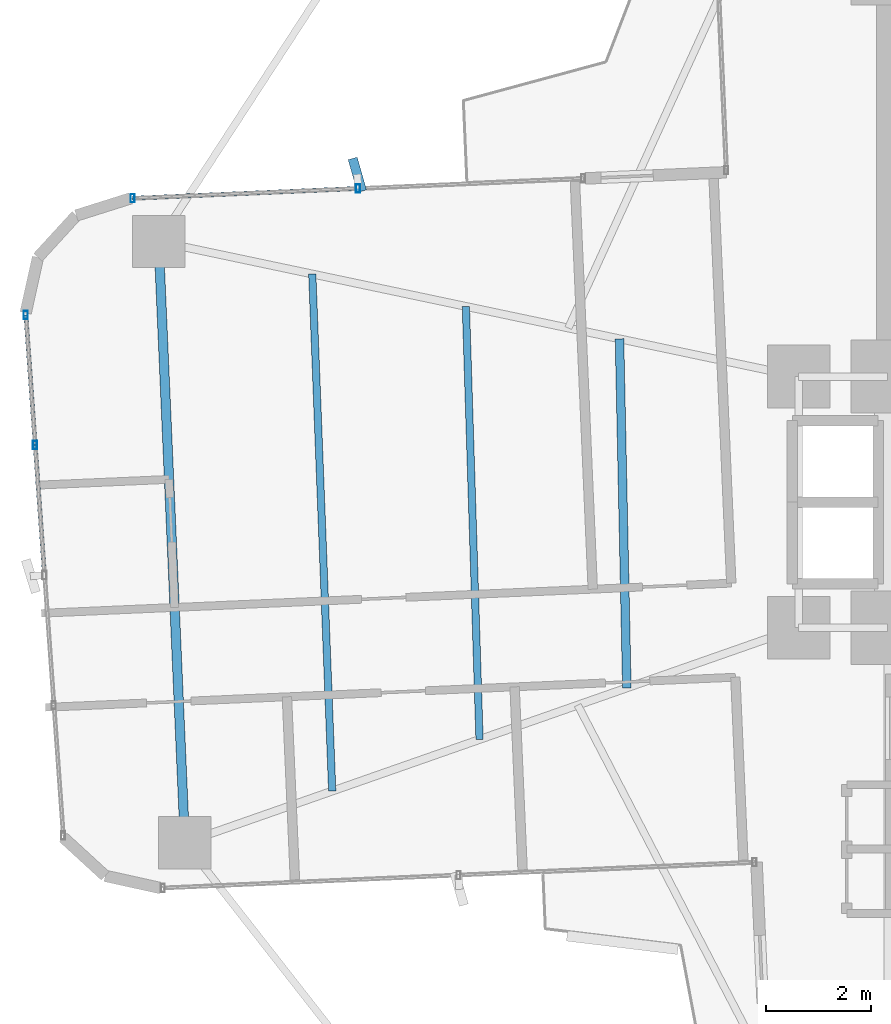
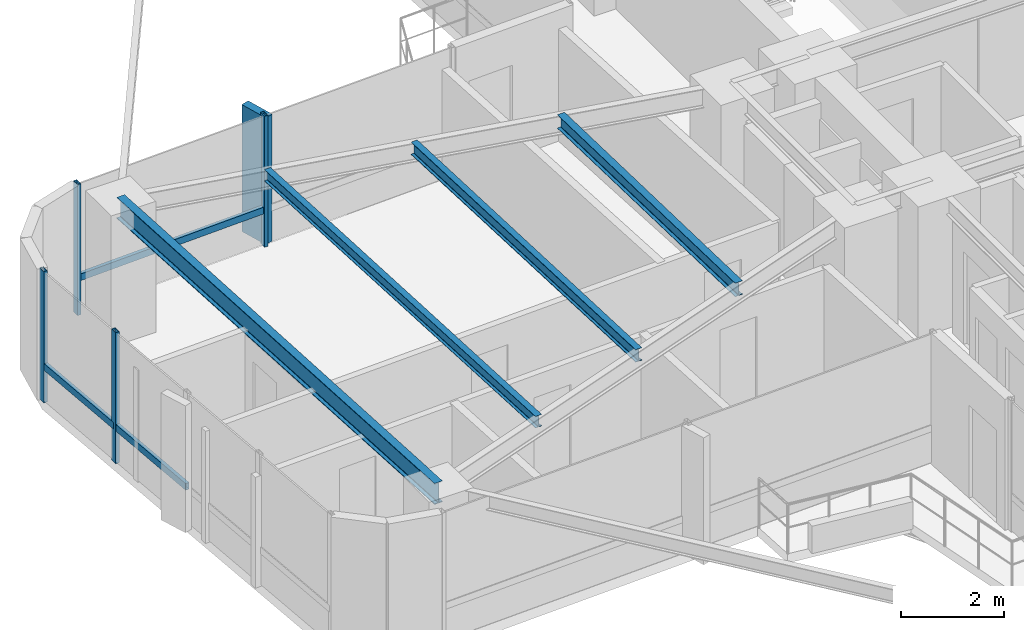
# One storey, part 9 of 27: 8 members, 4 beams, 2 elements without a shape of their own.
"""IFC4 building model written with IfcOpenShell, lengths in metres."""

import ifcopenshell
import ifcopenshell.guid

model = None  # the IFC model being written
_history = None  # IfcOwnerHistory: only IFC2X3 demands one
_inside = {}  # id of a spatial element -> (the spatial element, [elements in it])
_under = {}  # id of a project, library or spatial element -> (it, [spatial elements below it])
_declared = {}  # id of a project -> (the project, [libraries it declares])
_typed = {}  # id of a type object -> (the type object, [elements of that type])
_made_of = {}  # id of a material, layer set ... -> (it, [elements and type objects made of it])


def new_model(schema):
    """Start an empty IFC model of exactly this schema.

    Asked for "IFC4X3", IfcOpenShell would pick the latest addendum, in which some entities
    have other attributes; the version numbers below select the first issue.
    IFC2X3 requires an IfcOwnerHistory on every rooted entity: one is made here for all.
    """
    global model, _history
    if schema == "IFC4X3":
        model = ifcopenshell.file(schema_version=(4, 3, 0, 0))
    else:
        model = ifcopenshell.file(schema=schema)
    _inside.clear()
    _under.clear()
    _declared.clear()
    _typed.clear()
    _made_of.clear()
    _history = None
    if model.schema == "IFC2X3":
        org = make("IfcOrganization", Name="unknown")
        user = make(
            "IfcPersonAndOrganization",
            ThePerson=make("IfcPerson", FamilyName="unknown"),
            TheOrganization=org,
        )
        app = make(
            "IfcApplication",
            ApplicationDeveloper=org,
            Version="unknown",
            ApplicationFullName="unknown",
            ApplicationIdentifier="unknown",
        )
        _history = make(
            "IfcOwnerHistory",
            OwningUser=user,
            OwningApplication=app,
            ChangeAction="ADDED",
            CreationDate=0,
        )
    return model


def make(cls, **values):
    """One entity of the class cls with the attributes given. An attribute that is None is left unset."""
    return model.create_entity(
        cls, **{name: value for name, value in values.items() if value is not None}
    )


def rooted(cls, **values):
    """An entity with a GlobalId (a new one), such as an element, a storey or a relation."""
    return make(cls, GlobalId=ifcopenshell.guid.new(), OwnerHistory=_history, **values)


def si_unit(unit_type, name, prefix=None):
    """IfcSIUnit, for example si_unit("LENGTHUNIT", "METRE", prefix="MILLI")."""
    return make("IfcSIUnit", UnitType=unit_type, Prefix=prefix, Name=name)


def assignment(units):
    """IfcUnitAssignment: the units of a project."""
    return None if units is None else make("IfcUnitAssignment", Units=units)


def point(xyz):
    """IfcCartesianPoint."""
    return None if xyz is None else make("IfcCartesianPoint", Coordinates=xyz)


def direction(xyz):
    """IfcDirection."""
    return None if xyz is None else make("IfcDirection", DirectionRatios=xyz)


def frame(location, z_axis=None, x_axis=None):
    """IfcAxis2Placement3D, a coordinate frame: its origin and axes. An axis left out is left unset."""
    return make(
        "IfcAxis2Placement3D",
        Location=point(location),
        Axis=direction(z_axis),
        RefDirection=direction(x_axis),
    )


def frame_2d(location, x_axis=None):
    """IfcAxis2Placement2D, a coordinate frame in the plane: its origin and x axis."""
    return make(
        "IfcAxis2Placement2D", Location=point(location), RefDirection=direction(x_axis)
    )


def origin():
    """The frame at (0, 0, 0) with its axes left unset."""
    return frame((0.0, 0.0, 0.0))


def origin_2d():
    """The frame at (0, 0) in the plane with its x axis left unset."""
    return frame_2d((0.0, 0.0))


def place(relative_to, where):
    """IfcLocalPlacement: puts the frame where relative to a parent placement (None: the world)."""
    return make(
        "IfcLocalPlacement", PlacementRelTo=relative_to, RelativePlacement=where
    )


def context(
    kind, dimensions, precision=None, world=None, true_north=None, identifier=None
):
    """IfcGeometricRepresentationContext, for example the 3D "Model" context."""
    return make(
        "IfcGeometricRepresentationContext",
        ContextIdentifier=identifier,
        ContextType=kind,
        CoordinateSpaceDimension=dimensions,
        Precision=precision,
        WorldCoordinateSystem=world,
        TrueNorth=true_north,
    )


def subcontext(parent, identifier, kind, view, scale=None):
    """IfcGeometricRepresentationSubContext, for example "Body" below "Model"."""
    return make(
        "IfcGeometricRepresentationSubContext",
        ContextIdentifier=identifier,
        ContextType=kind,
        ParentContext=parent,
        TargetScale=scale,
        TargetView=view,
    )


def project(units=None, contexts=None):
    """IfcProject with its units and contexts."""
    return rooted(
        "IfcProject",
        Name="project",
        RepresentationContexts=contexts,
        UnitsInContext=assignment(units),
    )


def spatial(cls, under=None, at=None, **own):
    """A site, building, storey or space (cls), placed at a placement, below another one or the project."""
    s = rooted(cls, ObjectPlacement=at, **own)
    if under is not None:
        _under.setdefault(under.id(), (under, []))[1].append(s)
    return s


def profile(cls, at=None, kind="AREA", **sizes):
    """A parametric profile (cls). Its sizes go by their IFC names, for example OverallWidth=200.0."""
    return make(cls, ProfileType=kind, Position=at, **sizes)


def rectangle(**sizes):
    """IfcRectangleProfileDef."""
    return profile("IfcRectangleProfileDef", **sizes)


def hollow_rectangle(**sizes):
    """IfcRectangleHollowProfileDef."""
    return profile("IfcRectangleHollowProfileDef", **sizes)


def i_section(**sizes):
    """IfcIShapeProfileDef."""
    return profile("IfcIShapeProfileDef", **sizes)


def extrude(swept, where, along, depth):
    """IfcExtrudedAreaSolid: the profile swept, set in the frame where, extruded along a direction by depth."""
    return make(
        "IfcExtrudedAreaSolid",
        SweptArea=swept,
        Position=where,
        ExtrudedDirection=direction(along),
        Depth=depth,
    )


def shape(context_of_items, identifier, shape_type, items):
    """IfcShapeRepresentation: the items that make up one representation, for example the "Body"."""
    return make(
        "IfcShapeRepresentation",
        ContextOfItems=context_of_items,
        RepresentationIdentifier=identifier,
        RepresentationType=shape_type,
        Items=items,
    )


def source(mapping_origin, context_of_items, identifier, shape_type, items):
    """IfcRepresentationMap: a shape defined once, which mapped items show again and again."""
    return make(
        "IfcRepresentationMap",
        MappingOrigin=mapping_origin,
        MappedRepresentation=shape(context_of_items, identifier, shape_type, items),
    )


def transform(
    local_origin,
    x_axis=None,
    y_axis=None,
    z_axis=None,
    scale=None,
    scale2=None,
    scale3=None,
    uniform=True,
):
    """IfcCartesianTransformationOperator3D, or its non-uniform kind. x_axis, y_axis, z_axis: its Axis1, 2, 3."""
    if uniform:
        return make(
            "IfcCartesianTransformationOperator3D",
            Axis1=direction(x_axis),
            Axis2=direction(y_axis),
            LocalOrigin=point(local_origin),
            Scale=scale,
            Axis3=direction(z_axis),
        )
    return make(
        "IfcCartesianTransformationOperator3DnonUniform",
        Axis1=direction(x_axis),
        Axis2=direction(y_axis),
        LocalOrigin=point(local_origin),
        Scale=scale,
        Axis3=direction(z_axis),
        Scale2=scale2,
        Scale3=scale3,
    )


def mapped(mapping_source, mapping_target):
    """IfcMappedItem: shows the shape of a source again, moved by a transform."""
    return make(
        "IfcMappedItem", MappingSource=mapping_source, MappingTarget=mapping_target
    )


def material(Name=None, Category=None):
    """IfcMaterial."""
    return make("IfcMaterial", Name=Name, Category=Category)


def material_profile(
    of_material, cross_section, Name=None, Category=None, Priority=None
):
    """IfcMaterialProfile: a cross section and its material."""
    return make(
        "IfcMaterialProfile",
        Name=Name,
        Material=of_material,
        Profile=cross_section,
        Priority=Priority,
        Category=Category,
    )


def profile_set(profiles, Name=None, composite=None):
    """IfcMaterialProfileSet."""
    return make(
        "IfcMaterialProfileSet",
        Name=Name,
        MaterialProfiles=profiles,
        CompositeProfile=composite,
    )


def made_of(thing, what):
    """Note that an element or type object is made of a material, layer set ...; save() writes the relation."""
    if what is not None:
        _made_of.setdefault(what.id(), (what, []))[1].append(thing)
    return thing


def type_object(cls, material=None, **own):
    """A type object (cls), such as IfcWallType, which elements share."""
    return made_of(rooted(cls, **own), material)


def element(
    cls,
    number,
    at=None,
    inside=None,
    cuts=None,
    type_object=None,
    material=None,
    context=None,
    identifier="Body",
    shape_type=None,
    held_by="IfcProductDefinitionShape",
    body=None,
    shapes=None,
    **own,
):
    """One element of the class cls, such as IfcWall. Its Tag is "e" and its number.

    at: its placement. inside: the storey or other place that contains it. cuts: it is an
    opening in that element (IfcRelVoidsElement). A single representation is given by context,
    identifier, shape_type and body (its items); several are given by shapes. held_by: the class
    of the entity that holds the representations. save() writes the other relations.
    """
    e = rooted(cls, Tag="e%d" % number, ObjectPlacement=at, **own)
    if body is not None:
        shapes = [shape(context, identifier, shape_type, body)]
    if shapes is not None:
        e.Representation = make(held_by, Representations=shapes)
    if inside is not None:
        _inside.setdefault(inside.id(), (inside, []))[1].append(e)
    if cuts is not None:
        rooted(
            "IfcRelVoidsElement", RelatingBuildingElement=cuts, RelatedOpeningElement=e
        )
    if type_object is not None:
        _typed.setdefault(type_object.id(), (type_object, []))[1].append(e)
    return made_of(e, material)


def aggregate(whole, parts):
    """IfcRelAggregates: a whole, such as a stair, and the parts it consists of."""
    return rooted("IfcRelAggregates", RelatingObject=whole, RelatedObjects=parts)


def save(model, path):
    """Write the relations noted so far, then the file.

    IfcRelAggregates (storeys below a building ...), IfcRelContainedInSpatialStructure (elements
    in a storey), IfcRelDefinesByType, IfcRelAssociatesMaterial and IfcRelDeclares: one each for
    every whole, place, type object, material and project.
    """
    for whole, parts in _under.values():
        aggregate(whole, parts)
    for where, things in _inside.values():
        rooted(
            "IfcRelContainedInSpatialStructure",
            RelatedElements=things,
            RelatingStructure=where,
        )
    for kind, things in _typed.values():
        rooted("IfcRelDefinesByType", RelatedObjects=things, RelatingType=kind)
    for what, things in _made_of.values():
        rooted("IfcRelAssociatesMaterial", RelatedObjects=things, RelatingMaterial=what)
    for by, libraries in _declared.values():
        rooted("IfcRelDeclares", RelatingContext=by, RelatedDefinitions=libraries)
    model.write(path)


model = new_model("IFC4")

# Units and contexts
model_context = context("Model", 3, precision=1e-05, world=origin(), true_north=direction((0.0, 1.0)))
body_context = subcontext(model_context, "Body", "Model", "MODEL_VIEW")
ifc_project = project(units=[si_unit("LENGTHUNIT", "METRE"), si_unit("AREAUNIT", "SQUARE_METRE"), si_unit("VOLUMEUNIT", "CUBIC_METRE"), si_unit("PLANEANGLEUNIT", "RADIAN"), si_unit("MASSUNIT", "GRAM", prefix="KILO")], contexts=[model_context])

# Site, building, storey
site_placement = place(None, origin())
site = spatial("IfcSite", under=ifc_project, at=site_placement, CompositionType="ELEMENT")
building_placement = place(site_placement, origin())
building = spatial("IfcBuilding", under=site, at=building_placement, Name="Sahyath Konkavel Grand Hotel", CompositionType="ELEMENT")
storey_placement = place(building_placement, frame((0.0, 0.0, 90.199951171875)))
storey = spatial("IfcBuildingStorey", under=building, at=storey_placement, Name="L24", CompositionType="ELEMENT", Elevation=90.199951171875)

# Beams
ifc_material_1 = material(Name="Steel E350", Category="steel")
ifc_material_profile_1 = material_profile(ifc_material_1, i_section(OverallWidth=0.179931640625, OverallDepth=0.5, WebThickness=0.01025390625, FlangeThickness=0.01708984375, FilletRadius=0.01708984375, at=origin_2d()), Name="ISMB 500")
ifc_profile_set_1 = profile_set([ifc_material_profile_1], Name="Steel E350")
beam_type_1 = type_object("IfcBeamType", Name="BM-ISMB500", PredefinedType="BEAM", material=ifc_profile_set_1)
shared_shape_1 = source(origin(), body_context, "Body", "SweptSolid", [
    extrude(i_section(OverallWidth=0.179931640625, OverallDepth=0.5, WebThickness=0.01025390625, FlangeThickness=0.01708984375, FilletRadius=0.01708984375, at=origin_2d()), origin(), (0.0, 0.0, 1.0), 11.5),
])
beam_1_placement = place(storey_placement, frame((-17.734130859375, 4.981201171875, 2.860107421875), z_axis=(0.043627008892, -0.99904788879, 0.0), x_axis=(0.99904788879, 0.043627008892, 0.0)))
element("IfcBeam", 1, at=beam_1_placement, inside=storey, type_object=beam_type_1, Name="L24 Wing Tip Edge Beam W", PredefinedType="BEAM", context=body_context, shape_type="MappedRepresentation", body=[
    mapped(shared_shape_1, transform((0.0, 0.0, 0.0), scale=1.0)),
])
ifc_material_profile_2 = material_profile(ifc_material_1, i_section(OverallWidth=0.1650390625, OverallDepth=0.324951171875, WebThickness=0.007080078125, FlangeThickness=0.009765625, FilletRadius=0.014892578125, at=origin_2d()), Name="ISLB 325")
ifc_profile_set_2 = profile_set([ifc_material_profile_2], Name="Steel E350")
beam_type_2 = type_object("IfcBeamType", Name="BM-ISLB325", PredefinedType="BEAM", material=ifc_profile_set_2)
shared_shape_2 = source(origin(), body_context, "Body", "SweptSolid", [
    extrude(i_section(OverallWidth=0.1650390625, OverallDepth=0.324951171875, WebThickness=0.007080078125, FlangeThickness=0.009765625, FilletRadius=0.014892578125, at=origin_2d()), origin(), (0.0, 0.0, 1.0), 6.674560546875),
])
beam_2_placement = place(storey_placement, frame((-8.925537109375, 3.122802734375, 2.947509765625), z_axis=(0.021032188543, -0.999778799058, 0.0), x_axis=(0.999778799058, 0.021032188543, 0.0)))
element("IfcBeam", 2, at=beam_2_placement, inside=storey, type_object=beam_type_2, Name="L24 Secondary Floor Beam W-1", PredefinedType="BEAM", context=body_context, shape_type="MappedRepresentation", body=[
    mapped(shared_shape_2, transform((0.0, 0.0, 0.0), scale=1.0)),
])
ifc_material_profile_3 = material_profile(ifc_material_1, i_section(OverallWidth=0.139892578125, OverallDepth=0.300048828125, WebThickness=0.0078125, FlangeThickness=0.01318359375, FilletRadius=0.013916015625, at=origin_2d()), Name="ISMB 300")
ifc_profile_set_3 = profile_set([ifc_material_profile_3], Name="Steel E350")
beam_type_3 = type_object("IfcBeamType", Name="BM-ISMB300", PredefinedType="BEAM", material=ifc_profile_set_3)
shared_shape_3 = source(origin(), body_context, "Body", "SweptSolid", [
    extrude(i_section(OverallWidth=0.139892578125, OverallDepth=0.300048828125, WebThickness=0.0078125, FlangeThickness=0.01318359375, FilletRadius=0.013916015625, at=origin_2d()), origin(), (0.0, 0.0, 1.0), 8.282470703125),
])
beam_3_placement = place(storey_placement, frame((-11.86181640625, 3.7421875, 2.9599609375), z_axis=(0.031510827707, -0.999503410568, 0.0), x_axis=(0.999503410568, 0.031510827707, 0.0)))
element("IfcBeam", 3, at=beam_3_placement, inside=storey, type_object=beam_type_3, Name="L24 Secondary Floor Beam W-2", PredefinedType="BEAM", context=body_context, shape_type="MappedRepresentation", body=[
    mapped(shared_shape_3, transform((0.0, 0.0, 0.0), scale=1.0)),
])
ifc_material_profile_4 = material_profile(ifc_material_1, i_section(OverallWidth=0.139892578125, OverallDepth=0.27490234375, WebThickness=0.00634765625, FlangeThickness=0.0087890625, FilletRadius=0.012939453125, at=origin_2d()), Name="ISLB 275")
ifc_profile_set_4 = profile_set([ifc_material_profile_4], Name="Steel E350")
beam_type_4 = type_object("IfcBeamType", Name="BM-ISLB275", PredefinedType="BEAM", material=ifc_profile_set_4)
shared_shape_4 = source(origin(), body_context, "Body", "SweptSolid", [
    extrude(i_section(OverallWidth=0.139892578125, OverallDepth=0.27490234375, WebThickness=0.00634765625, FlangeThickness=0.0087890625, FilletRadius=0.012939453125, at=origin_2d()), origin(), (0.0, 0.0, 1.0), 9.89111328125),
])
beam_4_placement = place(storey_placement, frame((-14.798095703125, 4.36181640625, 2.97265625), z_axis=(0.03855445741, -0.999256500511, 0.0), x_axis=(0.999256500511, 0.03855445741, 0.0)))
element("IfcBeam", 4, at=beam_4_placement, inside=storey, type_object=beam_type_4, Name="L24 Secondary Floor Beam W-3", PredefinedType="BEAM", context=body_context, shape_type="MappedRepresentation", body=[
    mapped(shared_shape_4, transform((0.0, 0.0, 0.0), scale=1.0)),
])

# Curtain wall, members
ifc_material_2 = material(Name="Anodised Bronze Aluminium & Low-E Glazing", Category="aluminium")
curtain_wall_type = type_object("IfcCurtainWallType", Name="CW-ZONE2", PredefinedType="NOTDEFINED", material=ifc_material_2)
curtain_wall_1_placement = place(storey_placement, origin())
curtain_wall_1 = element("IfcCurtainWall", 5, at=curtain_wall_1_placement, inside=storey, type_object=curtain_wall_type, Name="L24 Unitised Curtain Wall F16", PredefinedType="NOTDEFINED")
ifc_material_3 = material(Name="Warm Buff Sandstone Cladding on Concrete C50/60", Category="masonry")
ifc_material_profile_5 = material_profile(ifc_material_3, rectangle(XDim=0.179931640625, YDim=0.64990234375, at=origin_2d()), Name="FIN 180x650")
ifc_profile_set_5 = profile_set([ifc_material_profile_5], Name="Warm Buff Sandstone Cladding on Concrete C50/60")
member_type_1 = type_object("IfcMemberType", Name="FIN-SANDSTONE-650", PredefinedType="MULLION", material=ifc_profile_set_5)
shared_shape_5 = source(origin(), body_context, "Body", "SweptSolid", [
    extrude(rectangle(XDim=0.179931640625, YDim=0.64990234375, at=origin_2d()), origin(), (0.0, 0.0, 1.0), 3.010009765625),
])
member_1_placement = place(storey_placement, frame((-13.936279296875, 6.258056640625, 0.050048828125), z_axis=(0.0, 0.0, 1.0), x_axis=(0.961693479997, 0.274127070043, 0.0)))
member_1 = element("IfcMember", 6, at=member_1_placement, type_object=member_type_1, Name="L24 Sandstone Vertical Solar Fin FIN F16-1", PredefinedType="MULLION", context=body_context, shape_type="MappedRepresentation", body=[
    mapped(shared_shape_5, transform((0.0, 0.0, 0.0), scale=1.0)),
])
ifc_material_4 = material(Name="Anodised Bronze Aluminium", Category="aluminium")
ifc_material_profile_6 = material_profile(ifc_material_4, hollow_rectangle(XDim=0.080078125, YDim=0.159912109375, WallThickness=0.006103515625, at=origin_2d()), Name="RHS 160x80x6")
ifc_profile_set_6 = profile_set([ifc_material_profile_6], Name="Anodised Bronze Aluminium")
member_type_2 = type_object("IfcMemberType", Name="CW-MUL-160", PredefinedType="MULLION", material=ifc_profile_set_6)
shared_shape_6 = source(origin(), body_context, "Body", "SweptSolid", [
    extrude(hollow_rectangle(XDim=0.080078125, YDim=0.159912109375, WallThickness=0.006103515625, at=origin_2d()), origin(), (0.0, 0.0, 1.0), 3.110107421875),
])
member_2_placement = place(storey_placement, frame((-13.9248046875, 5.998291015625, 0.0), z_axis=(0.0, 0.0, 1.0), x_axis=(1.0, 0.0, 0.0)))
member_2 = element("IfcMember", 7, at=member_2_placement, type_object=member_type_2, Name="L24 Curtain Wall Mullion F16-1", PredefinedType="MULLION", context=body_context, shape_type="MappedRepresentation", body=[
    mapped(shared_shape_6, transform((0.0, 0.0, 0.0), scale=1.0)),
])
member_3_placement = place(storey_placement, frame((-18.230712890625, 5.810302734375, 0.0), z_axis=(0.0, 0.0, 1.0), x_axis=(1.0, 0.0, 0.0)))
member_3 = element("IfcMember", 8, at=member_3_placement, type_object=member_type_2, Name="L24 Curtain Wall Mullion F16-2", PredefinedType="MULLION", context=body_context, shape_type="MappedRepresentation", body=[
    mapped(shared_shape_6, transform((0.0, 0.0, 0.0), scale=1.0)),
])

curtain_wall_2_placement = place(storey_placement, origin())
curtain_wall_2 = element("IfcCurtainWall", 9, at=curtain_wall_2_placement, inside=storey, type_object=curtain_wall_type, Name="L24 Unitised Curtain Wall F20", PredefinedType="NOTDEFINED")
member_4_placement = place(storey_placement, frame((-20.2744140625, 3.5791015625, 0.0), z_axis=(0.0, 0.0, 1.0), x_axis=(1.0, 0.0, 0.0)))
member_4 = element("IfcMember", 10, at=member_4_placement, type_object=member_type_2, Name="L24 Curtain Wall Mullion F20-0", PredefinedType="MULLION", context=body_context, shape_type="MappedRepresentation", body=[
    mapped(shared_shape_6, transform((0.0, 0.0, 0.0), scale=1.0)),
])
member_5_placement = place(storey_placement, frame((-20.095947265625, 1.092041015625, 0.0), z_axis=(0.0, 0.0, 1.0), x_axis=(1.0, 0.0, 0.0)))
member_5 = element("IfcMember", 11, at=member_5_placement, type_object=member_type_2, Name="L24 Curtain Wall Mullion F20-1", PredefinedType="MULLION", context=body_context, shape_type="MappedRepresentation", body=[
    mapped(shared_shape_6, transform((0.0, 0.0, 0.0), scale=1.0)),
])

# Member
ifc_material_profile_7 = material_profile(ifc_material_4, hollow_rectangle(XDim=0.080078125, YDim=0.159912109375, WallThickness=0.006103515625, at=origin_2d()), Name="RHS 160x80x6")
ifc_profile_set_7 = profile_set([ifc_material_profile_7], Name="Anodised Bronze Aluminium")
member_type_3 = type_object("IfcMemberType", Name="CW-TRN-160", PredefinedType="USERDEFINED", material=ifc_profile_set_7)
shared_shape_7 = source(origin(), body_context, "Body", "SweptSolid", [
    extrude(hollow_rectangle(XDim=0.080078125, YDim=0.159912109375, WallThickness=0.006103515625, at=origin_2d()), origin(), (0.0, 0.0, 1.0), 4.31005859375),
])
member_6_placement = place(storey_placement, frame((-13.9248046875, 5.998291015625, 0.85009765625), z_axis=(-0.999048340188, -0.043616670746, 0.0), x_axis=(0.043616670746, -0.999048340188, 0.0)))
member_6 = element("IfcMember", 12, at=member_6_placement, type_object=member_type_3, Name="L24 Curtain Wall Transom F16-1-spandrel", ObjectType="TRANSOM", PredefinedType="USERDEFINED", context=body_context, shape_type="MappedRepresentation", body=[
    mapped(shared_shape_7, transform((0.0, 0.0, 0.0), scale=1.0)),
])

aggregate(curtain_wall_1, [member_2, member_1, member_3, member_6])

shared_shape_8 = source(origin(), body_context, "Body", "SweptSolid", [
    extrude(hollow_rectangle(XDim=0.080078125, YDim=0.159912109375, WallThickness=0.006103515625, at=origin_2d()), origin(), (0.0, 0.0, 1.0), 2.493408203125),
])
member_7_placement = place(storey_placement, frame((-20.2744140625, 3.5791015625, 0.85009765625), z_axis=(0.071574084062, -0.997435286367, 0.0), x_axis=(0.997435286367, 0.071574084062, 0.0)))
member_7 = element("IfcMember", 13, at=member_7_placement, type_object=member_type_3, Name="L24 Curtain Wall Transom F20-0-spandrel", ObjectType="TRANSOM", PredefinedType="USERDEFINED", context=body_context, shape_type="MappedRepresentation", body=[
    mapped(shared_shape_8, transform((0.0, 0.0, 0.0), scale=1.0)),
])

member_8_placement = place(storey_placement, frame((-20.095947265625, 1.092041015625, 0.85009765625), z_axis=(0.071574084062, -0.997435286367, 0.0), x_axis=(0.997435286367, 0.071574084062, 0.0)))
member_8 = element("IfcMember", 14, at=member_8_placement, type_object=member_type_3, Name="L24 Curtain Wall Transom F20-1-spandrel", ObjectType="TRANSOM", PredefinedType="USERDEFINED", context=body_context, shape_type="MappedRepresentation", body=[
    mapped(shared_shape_8, transform((0.0, 0.0, 0.0), scale=1.0)),
])

aggregate(curtain_wall_2, [member_4, member_5, member_7, member_8])

save(model, "model.ifc")
